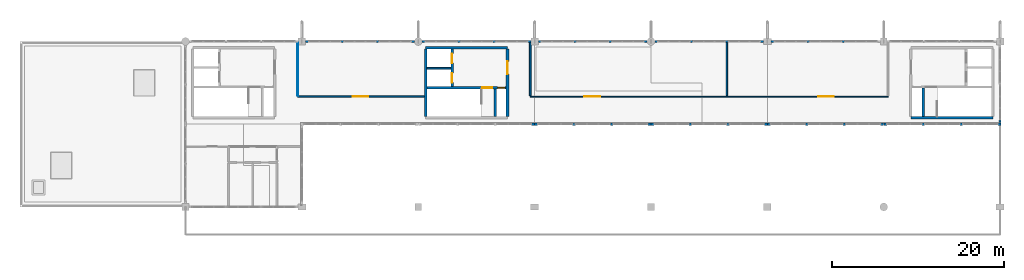
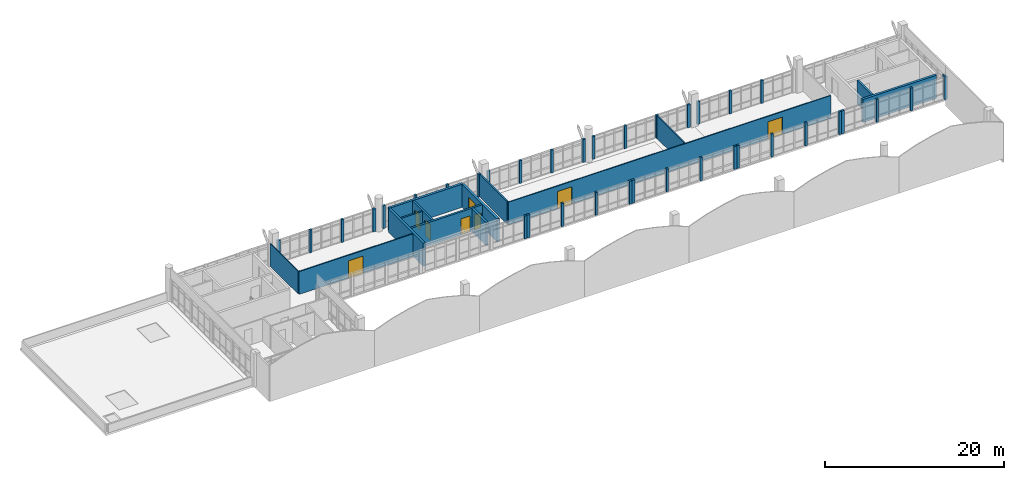
# One storey, part 35 of 37: 51 walls, 8 doors, 8 openings.
"""IFC4 building model written with IfcOpenShell, lengths in metres."""

from ifc_helpers import new_model, si_unit, direction, frame, frame_2d, origin, place, context, subcontext, project, spatial, rectangle, extrude, material, layer, layer_set, type_object, element, fill, save


model = new_model("IFC4")

# Units and contexts
model_context = context("Model", 3, precision=1e-05, world=origin(), true_north=direction((0.0, 1.0)))
body_context = subcontext(model_context, "Body", "Model", "MODEL_VIEW")
ifc_project = project(units=[si_unit("LENGTHUNIT", "METRE"), si_unit("AREAUNIT", "SQUARE_METRE"), si_unit("VOLUMEUNIT", "CUBIC_METRE"), si_unit("PLANEANGLEUNIT", "RADIAN"), si_unit("MASSUNIT", "GRAM", prefix="KILO")], contexts=[model_context])

# Site, building, storey
site_placement = place(None, origin())
site = spatial("IfcSite", under=ifc_project, at=site_placement, CompositionType="ELEMENT")
building_placement = place(site_placement, origin())
building = spatial("IfcBuilding", under=site, at=building_placement, Name="Fikremerkos Civic Library", CompositionType="ELEMENT")
storey_placement = place(building_placement, frame((0.0, 0.0, 23.39990234375)))
storey = spatial("IfcBuildingStorey", under=building, at=storey_placement, Name="L05", CompositionType="ELEMENT", Elevation=23.39990234375)

# Walls
ifc_material_1 = material(Name="Concrete C40/50", Category="concrete")
ifc_layer_1 = layer(ifc_material_1, 0.300048828125, Name="Concrete C40/50")
ifc_layer_set_1 = layer_set([ifc_layer_1], Name="Concrete C40/50")
wall_type_1 = type_object("IfcWallType", Name="Core shear wall CSW-01 300", PredefinedType="SHEAR", material=ifc_layer_set_1)
for number, where, z_axis, x_axis, name in (
    (1, (112.85009765625, 22.35009765625, 0.0), (0.0, 0.0, 1.0), (-1.0, 0.0, 0.0), "Core K2 south shear wall L05"),
    (2, (47.050048828125, 30.449951171875, 0.0), (0.0, 0.0, 1.0), (1.0, 0.0, 0.0), "Core K3 north shear wall L05"),
):
    element("IfcWall", number, at=place(storey_placement, frame(where, z_axis=z_axis, x_axis=x_axis)), inside=storey, type_object=wall_type_1, Name=name, PredefinedType="SHEAR", context=body_context, shape_type="SweptSolid", body=[
        extrude(rectangle(XDim=9.5, YDim=0.300048828125, at=frame_2d((4.75, 0.0))), origin(), (0.0, 0.0, 1.0), 3.150146484375),
    ])
wall_1_placement = place(storey_placement, frame((47.050048828125, 22.501953125, 0.0), z_axis=(0.0, 0.0, 1.0), x_axis=(0.0, 1.0, 0.0)))
element("IfcWall", 3, at=wall_1_placement, inside=storey, type_object=wall_type_1, Name="Core K3 west shear wall L05", PredefinedType="SHEAR", context=body_context, shape_type="SweptSolid", body=[
    extrude(rectangle(XDim=7.796142578125, YDim=0.300048828125, at=frame_2d((3.89794921875, 0.0))), origin(), (0.0, 0.0, 1.0), 3.150146484375),
])

# Wall, opening, door
wall_2_placement = place(storey_placement, frame((56.550048828125, 30.298095703125, 0.0), z_axis=(0.0, 0.0, 1.0), x_axis=(0.0, -1.0, 0.0)))
wall_2 = element("IfcWall", 4, at=wall_2_placement, inside=storey, type_object=wall_type_1, Name="Core K3 east shear wall L05", PredefinedType="SHEAR", context=body_context, shape_type="SweptSolid", body=[
    extrude(rectangle(XDim=7.796142578125, YDim=0.300048828125, at=frame_2d((3.89794921875, 0.0))), origin(), (0.0, 0.0, 1.0), 3.150146484375),
])
opening_1_placement = place(wall_2_placement, frame((1.39794921875, 0.0, 0.0)))
opening_1 = element("IfcOpeningElement", 5, at=opening_1_placement, cuts=wall_2, Name="Opening D098", PredefinedType="OPENING", context=body_context, shape_type="SweptSolid", body=[
    extrude(rectangle(XDim=1.5, YDim=2.25, at=frame_2d((0.75, 1.125))), frame((0.0, 0.159912109375, 0.0), z_axis=(0.0, -1.0, 0.0), x_axis=(1.0, 0.0, 0.0)), (0.0, 0.0, 1.0), 0.320068359375),
])
ifc_material_2 = material(Name="Hardwood timber and acoustic glass", Category="wood")
door_type_1 = type_object("IfcDoorType", Name="Pedestrian door DT-05 1500x2250", OperationType="NOTDEFINED", PredefinedType="DOOR", material=ifc_material_2)
door_1_placement = place(opening_1_placement, origin())
door_1 = element("IfcDoor", 6, at=door_1_placement, inside=storey, type_object=door_type_1, Name="Core K3 lobby fire door D098 L05", OperationType="SINGLE_SWING_LEFT", OverallHeight=2.25, OverallWidth=1.5, PredefinedType="DOOR", context=body_context, shape_type="SweptSolid", body=[
    extrude(rectangle(XDim=1.5, YDim=2.25, at=frame_2d((0.75, 1.125))), frame((0.0, 0.032470703125, 0.0), z_axis=(0.0, -1.0, 0.0), x_axis=(1.0, 0.0, 0.0)), (0.0, 0.0, 1.0), 0.06494140625),
])
fill(opening_1, door_1)

# Wall
ifc_layer_2 = layer(ifc_material_1, 0.260009765625, Name="Concrete C40/50")
ifc_layer_set_2 = layer_set([ifc_layer_2], Name="Concrete C40/50")
wall_type_2 = type_object("IfcWallType", Name="Core shear wall CSW-02 260", PredefinedType="SHEAR", material=ifc_layer_set_2)
wall_3_placement = place(storey_placement, frame((104.77001953125, 22.501953125, 0.0), z_axis=(0.0, 0.0, 1.0), x_axis=(0.0, 1.0, 0.0)))
element("IfcWall", 7, at=wall_3_placement, inside=storey, type_object=wall_type_2, Name="Core K2 stair-riser shear wall L05", PredefinedType="SHEAR", context=body_context, shape_type="SweptSolid", body=[
    extrude(rectangle(XDim=3.296142578125, YDim=0.260009765625, at=frame_2d((1.64794921875, 0.0))), origin(), (0.0, 0.0, 1.0), 3.150146484375),
])

# Wall, openings, doors
wall_4_placement = place(storey_placement, frame((47.201904296875, 25.830078125, 0.0), z_axis=(0.0, 0.0, 1.0), x_axis=(1.0, 0.0, 0.0)))
wall_4 = element("IfcWall", 8, at=wall_4_placement, inside=storey, type_object=wall_type_2, Name="Core K3 stair compartment wall L05", PredefinedType="SHEAR", context=body_context, shape_type="SweptSolid", body=[
    extrude(rectangle(XDim=9.196044921875, YDim=0.260009765625, at=frame_2d((4.59814453125, 0.0))), origin(), (0.0, 0.0, 1.0), 3.150146484375),
])
opening_2_placement = place(wall_4_placement, frame((6.39794921875, 0.0, 0.0)))
opening_2 = element("IfcOpeningElement", 9, at=opening_2_placement, cuts=wall_4, Name="Opening D099", PredefinedType="OPENING", context=body_context, shape_type="SweptSolid", body=[
    extrude(rectangle(XDim=1.199951171875, YDim=2.199951171875, at=frame_2d((0.60009765625, 1.10009765625))), frame((0.0, 0.139892578125, 0.0), z_axis=(0.0, -1.0, 0.0), x_axis=(1.0, 0.0, 0.0)), (0.0, 0.0, 1.0), 0.280029296875),
])
opening_3_placement = place(wall_4_placement, frame((8.202880859375, 0.0, 0.0)))
opening_3 = element("IfcOpeningElement", 10, at=opening_3_placement, cuts=wall_4, Name="Opening D100", PredefinedType="OPENING", context=body_context, shape_type="SweptSolid", body=[
    extrude(rectangle(XDim=0.85009765625, YDim=2.050048828125, at=frame_2d((0.425048828125, 1.02490234375))), frame((0.0, 0.139892578125, 0.0), z_axis=(0.0, -1.0, 0.0), x_axis=(1.0, 0.0, 0.0)), (0.0, 0.0, 1.0), 0.280029296875),
])
door_type_2 = type_object("IfcDoorType", Name="Pedestrian door DT-06 1200x2200", OperationType="NOTDEFINED", PredefinedType="DOOR", material=ifc_material_2)
door_2_placement = place(opening_2_placement, origin())
door_2 = element("IfcDoor", 11, at=door_2_placement, inside=storey, type_object=door_type_2, Name="Core K3 stair fire door D099 L05", OperationType="SINGLE_SWING_LEFT", OverallHeight=2.199951171875, OverallWidth=1.199951171875, PredefinedType="DOOR", context=body_context, shape_type="SweptSolid", body=[
    extrude(rectangle(XDim=1.199951171875, YDim=2.199951171875, at=frame_2d((0.60009765625, 1.10009765625))), frame((0.0, 0.032470703125, 0.0), z_axis=(0.0, -1.0, 0.0), x_axis=(1.0, 0.0, 0.0)), (0.0, 0.0, 1.0), 0.06494140625),
])
fill(opening_2, door_2)
door_type_3 = type_object("IfcDoorType", Name="Pedestrian door DT-08 850x2050", OperationType="NOTDEFINED", PredefinedType="DOOR", material=ifc_material_2)
door_3_placement = place(opening_3_placement, origin())
door_3 = element("IfcDoor", 12, at=door_3_placement, inside=storey, type_object=door_type_3, Name="Core K3 riser access fire door D100 L05", OperationType="SINGLE_SWING_LEFT", OverallHeight=2.050048828125, OverallWidth=0.85009765625, PredefinedType="DOOR", context=body_context, shape_type="SweptSolid", body=[
    extrude(rectangle(XDim=0.85009765625, YDim=2.050048828125, at=frame_2d((0.425048828125, 1.02490234375))), frame((0.0, 0.032470703125, 0.0), z_axis=(0.0, -1.0, 0.0), x_axis=(1.0, 0.0, 0.0)), (0.0, 0.0, 1.0), 0.06494140625),
])
fill(opening_3, door_3)

# Wall
wall_5_placement = place(storey_placement, frame((55.1298828125, 22.501953125, 0.0), z_axis=(0.0, 0.0, 1.0), x_axis=(0.0, 1.0, 0.0)))
element("IfcWall", 13, at=wall_5_placement, inside=storey, type_object=wall_type_2, Name="Core K3 stair-riser shear wall L05", PredefinedType="SHEAR", context=body_context, shape_type="SweptSolid", body=[
    extrude(rectangle(XDim=3.196044921875, YDim=0.260009765625, at=frame_2d((1.59814453125, 0.0))), origin(), (0.0, 0.0, 1.0), 3.150146484375),
])

# Wall, openings, doors
wall_6_placement = place(storey_placement, frame((50.1298828125, 25.9619140625, 0.0), z_axis=(0.0, 0.0, 1.0), x_axis=(0.0, 1.0, 0.0)))
wall_6 = element("IfcWall", 14, at=wall_6_placement, inside=storey, type_object=wall_type_2, Name="Core K3 lift shaft front wall L05", PredefinedType="SHEAR", context=body_context, shape_type="SweptSolid", body=[
    extrude(rectangle(XDim=4.336181640625, YDim=0.260009765625, at=frame_2d((2.16796875, 0.0))), origin(), (0.0, 0.0, 1.0), 3.150146484375),
])
opening_4_placement = place(wall_6_placement, frame((0.468017578125, 0.0, 0.0)))
opening_4 = element("IfcOpeningElement", 15, at=opening_4_placement, cuts=wall_6, Name="Opening LD47", PredefinedType="OPENING", context=body_context, shape_type="SweptSolid", body=[
    extrude(rectangle(XDim=1.10009765625, YDim=2.14990234375, at=frame_2d((0.550048828125, 1.074951171875))), frame((0.0, 0.139892578125, 0.0), z_axis=(0.0, -1.0, 0.0), x_axis=(1.0, 0.0, 0.0)), (0.0, 0.0, 1.0), 0.280029296875),
])
opening_5_placement = place(wall_6_placement, frame((2.738037109375, 0.0, 0.0)))
opening_5 = element("IfcOpeningElement", 16, at=opening_5_placement, cuts=wall_6, Name="Opening LD48", PredefinedType="OPENING", context=body_context, shape_type="SweptSolid", body=[
    extrude(rectangle(XDim=1.10009765625, YDim=2.14990234375, at=frame_2d((0.550048828125, 1.074951171875))), frame((0.0, 0.139892578125, 0.0), z_axis=(0.0, -1.0, 0.0), x_axis=(1.0, 0.0, 0.0)), (0.0, 0.0, 1.0), 0.280029296875),
])
ifc_material_3 = material(Name="Brushed stainless steel", Category="steel")
door_type_4 = type_object("IfcDoorType", Name="Lift landing door LDT-01 1100x2150", OperationType="NOTDEFINED", PredefinedType="DOOR", material=ifc_material_3)
door_4_placement = place(opening_4_placement, origin())
door_4 = element("IfcDoor", 17, at=door_4_placement, inside=storey, type_object=door_type_4, Name="Lift LF05 sliding landing door LD47 L05", OperationType="SLIDING_TO_LEFT", OverallHeight=2.14990234375, OverallWidth=1.10009765625, PredefinedType="DOOR", context=body_context, shape_type="SweptSolid", body=[
    extrude(rectangle(XDim=1.10009765625, YDim=2.14990234375, at=frame_2d((0.550048828125, 1.074951171875))), frame((0.0, 0.032470703125, 0.0), z_axis=(0.0, -1.0, 0.0), x_axis=(1.0, 0.0, 0.0)), (0.0, 0.0, 1.0), 0.06494140625),
])
fill(opening_4, door_4)
door_5_placement = place(opening_5_placement, origin())
door_5 = element("IfcDoor", 18, at=door_5_placement, inside=storey, type_object=door_type_4, Name="Lift LF06 sliding landing door LD48 L05", OperationType="SLIDING_TO_LEFT", OverallHeight=2.14990234375, OverallWidth=1.10009765625, PredefinedType="DOOR", context=body_context, shape_type="SweptSolid", body=[
    extrude(rectangle(XDim=1.10009765625, YDim=2.14990234375, at=frame_2d((0.550048828125, 1.074951171875))), frame((0.0, 0.032470703125, 0.0), z_axis=(0.0, -1.0, 0.0), x_axis=(1.0, 0.0, 0.0)), (0.0, 0.0, 1.0), 0.06494140625),
])
fill(opening_5, door_5)

# Walls
ifc_material_4 = material(Name="Precast concrete C40/50", Category="concrete")
ifc_layer_3 = layer(ifc_material_4, 0.25, Name="Precast concrete C40/50")
ifc_layer_set_3 = layer_set([ifc_layer_3], Name="Precast concrete C40/50")
wall_type_3 = type_object("IfcWallType", Name="Exterior solid wall ESW-05 250", PredefinedType="SOLIDWALL", material=ifc_layer_set_3)
for number, where, z_axis, x_axis, name in (
    (19, (33.123046875, 31.199951171875, 0.0), (0.0, 0.0, 1.0), (1.0, 0.0, 0.0), "Exterior facade pier ESW-05 #681"),
    (20, (45.402099609375, 31.199951171875, 0.0), (0.0, 0.0, 1.0), (1.0, 0.0, 0.0), "Exterior facade pier ESW-05 #682"),
):
    element("IfcWall", number, at=place(storey_placement, frame(where, z_axis=z_axis, x_axis=x_axis)), inside=storey, type_object=wall_type_3, Name=name, PredefinedType="SOLIDWALL", context=body_context, shape_type="SweptSolid", body=[
        extrude(rectangle(XDim=0.349853515625, YDim=0.25, at=frame_2d((0.1748046875, 0.0))), origin(), (0.0, 0.0, 1.0), 3.1201171875),
    ])
for number, where, z_axis, x_axis, name in (
    (21, (37.249267578125, 31.199951171875, 0.0), (0.0, 0.0, 1.0), (1.0, 0.0, 0.0), "Exterior facade mullion pier ESW-05 #683"),
    (22, (41.32568359375, 31.199951171875, 0.0), (0.0, 0.0, 1.0), (1.0, 0.0, 0.0), "Exterior facade mullion pier ESW-05 #684"),
):
    element("IfcWall", number, at=place(storey_placement, frame(where, z_axis=z_axis, x_axis=x_axis)), inside=storey, type_object=wall_type_3, Name=name, PredefinedType="SOLIDWALL", context=body_context, shape_type="SweptSolid", body=[
        extrude(rectangle(XDim=0.300048828125, YDim=0.25, at=frame_2d((0.14990234375, 0.0))), origin(), (0.0, 0.0, 1.0), 3.1201171875),
    ])
for number, where, z_axis, x_axis, name in (
    (23, (46.64794921875, 31.199951171875, 0.0), (0.0, 0.0, 1.0), (1.0, 0.0, 0.0), "Exterior facade pier ESW-05 #685"),
    (24, (58.927001953125, 31.199951171875, 0.0), (0.0, 0.0, 1.0), (1.0, 0.0, 0.0), "Exterior facade pier ESW-05 #686"),
):
    element("IfcWall", number, at=place(storey_placement, frame(where, z_axis=z_axis, x_axis=x_axis)), inside=storey, type_object=wall_type_3, Name=name, PredefinedType="SOLIDWALL", context=body_context, shape_type="SweptSolid", body=[
        extrude(rectangle(XDim=0.35009765625, YDim=0.25, at=frame_2d((0.175048828125, 0.0))), origin(), (0.0, 0.0, 1.0), 3.1201171875),
    ])
wall_7_placement = place(storey_placement, frame((50.7744140625, 31.199951171875, 0.0), z_axis=(0.0, 0.0, 1.0), x_axis=(1.0, 0.0, 0.0)))
element("IfcWall", 25, at=wall_7_placement, inside=storey, type_object=wall_type_3, Name="Exterior facade mullion pier ESW-05 #687", PredefinedType="SOLIDWALL", context=body_context, shape_type="SweptSolid", body=[
    extrude(rectangle(XDim=0.2998046875, YDim=0.25, at=frame_2d((0.14990234375, 0.0))), origin(), (0.0, 0.0, 1.0), 3.1201171875),
])
wall_8_placement = place(storey_placement, frame((54.8505859375, 31.199951171875, 0.0), z_axis=(0.0, 0.0, 1.0), x_axis=(1.0, 0.0, 0.0)))
element("IfcWall", 26, at=wall_8_placement, inside=storey, type_object=wall_type_3, Name="Exterior facade mullion pier ESW-05 #688", PredefinedType="SOLIDWALL", context=body_context, shape_type="SweptSolid", body=[
    extrude(rectangle(XDim=0.300048828125, YDim=0.25, at=frame_2d((0.14990234375, 0.0))), origin(), (0.0, 0.0, 1.0), 3.1201171875),
])
for number, where, z_axis, x_axis, name in (
    (27, (60.123046875, 31.199951171875, 0.0), (0.0, 0.0, 1.0), (1.0, 0.0, 0.0), "Exterior facade pier ESW-05 #689"),
    (28, (72.402099609375, 31.199951171875, 0.0), (0.0, 0.0, 1.0), (1.0, 0.0, 0.0), "Exterior facade pier ESW-05 #690"),
):
    element("IfcWall", number, at=place(storey_placement, frame(where, z_axis=z_axis, x_axis=x_axis)), inside=storey, type_object=wall_type_3, Name=name, PredefinedType="SOLIDWALL", context=body_context, shape_type="SweptSolid", body=[
        extrude(rectangle(XDim=0.349853515625, YDim=0.25, at=frame_2d((0.1748046875, 0.0))), origin(), (0.0, 0.0, 1.0), 3.1201171875),
    ])
for number, where, z_axis, x_axis, name in (
    (29, (64.249267578125, 31.199951171875, 0.0), (0.0, 0.0, 1.0), (1.0, 0.0, 0.0), "Exterior facade mullion pier ESW-05 #691"),
    (30, (68.32568359375, 31.199951171875, 0.0), (0.0, 0.0, 1.0), (1.0, 0.0, 0.0), "Exterior facade mullion pier ESW-05 #692"),
):
    element("IfcWall", number, at=place(storey_placement, frame(where, z_axis=z_axis, x_axis=x_axis)), inside=storey, type_object=wall_type_3, Name=name, PredefinedType="SOLIDWALL", context=body_context, shape_type="SweptSolid", body=[
        extrude(rectangle(XDim=0.300048828125, YDim=0.25, at=frame_2d((0.14990234375, 0.0))), origin(), (0.0, 0.0, 1.0), 3.1201171875),
    ])
wall_9_placement = place(storey_placement, frame((73.64794921875, 31.199951171875, 0.0), z_axis=(0.0, 0.0, 1.0), x_axis=(1.0, 0.0, 0.0)))
element("IfcWall", 31, at=wall_9_placement, inside=storey, type_object=wall_type_3, Name="Exterior facade pier ESW-05 #693", PredefinedType="SOLIDWALL", context=body_context, shape_type="SweptSolid", body=[
    extrude(rectangle(XDim=0.35009765625, YDim=0.25, at=frame_2d((0.175048828125, 0.0))), origin(), (0.0, 0.0, 1.0), 3.1201171875),
])
wall_10_placement = place(storey_placement, frame((85.902099609375, 31.199951171875, 0.0), z_axis=(0.0, 0.0, 1.0), x_axis=(1.0, 0.0, 0.0)))
element("IfcWall", 32, at=wall_10_placement, inside=storey, type_object=wall_type_3, Name="Exterior facade pier ESW-05 #694", PredefinedType="SOLIDWALL", context=body_context, shape_type="SweptSolid", body=[
    extrude(rectangle(XDim=0.349853515625, YDim=0.25, at=frame_2d((0.1748046875, 0.0))), origin(), (0.0, 0.0, 1.0), 3.1201171875),
])
wall_11_placement = place(storey_placement, frame((77.76611328125, 31.199951171875, 0.0), z_axis=(0.0, 0.0, 1.0), x_axis=(1.0, 0.0, 0.0)))
element("IfcWall", 33, at=wall_11_placement, inside=storey, type_object=wall_type_3, Name="Exterior facade mullion pier ESW-05 #695", PredefinedType="SOLIDWALL", context=body_context, shape_type="SweptSolid", body=[
    extrude(rectangle(XDim=0.2998046875, YDim=0.25, at=frame_2d((0.14990234375, 0.0))), origin(), (0.0, 0.0, 1.0), 3.1201171875),
])
wall_12_placement = place(storey_placement, frame((81.833984375, 31.199951171875, 0.0), z_axis=(0.0, 0.0, 1.0), x_axis=(1.0, 0.0, 0.0)))
element("IfcWall", 34, at=wall_12_placement, inside=storey, type_object=wall_type_3, Name="Exterior facade mullion pier ESW-05 #696", PredefinedType="SOLIDWALL", context=body_context, shape_type="SweptSolid", body=[
    extrude(rectangle(XDim=0.300048828125, YDim=0.25, at=frame_2d((0.14990234375, 0.0))), origin(), (0.0, 0.0, 1.0), 3.1201171875),
])
wall_13_placement = place(storey_placement, frame((87.14794921875, 31.199951171875, 0.0), z_axis=(0.0, 0.0, 1.0), x_axis=(1.0, 0.0, 0.0)))
element("IfcWall", 35, at=wall_13_placement, inside=storey, type_object=wall_type_3, Name="Exterior facade pier ESW-05 #697", PredefinedType="SOLIDWALL", context=body_context, shape_type="SweptSolid", body=[
    extrude(rectangle(XDim=0.35009765625, YDim=0.25, at=frame_2d((0.175048828125, 0.0))), origin(), (0.0, 0.0, 1.0), 3.1201171875),
])
wall_14_placement = place(storey_placement, frame((91.28271484375, 31.199951171875, 0.0), z_axis=(0.0, 0.0, 1.0), x_axis=(1.0, 0.0, 0.0)))
element("IfcWall", 36, at=wall_14_placement, inside=storey, type_object=wall_type_3, Name="Exterior facade mullion pier ESW-05 #699", PredefinedType="SOLIDWALL", context=body_context, shape_type="SweptSolid", body=[
    extrude(rectangle(XDim=0.300048828125, YDim=0.25, at=frame_2d((0.14990234375, 0.0))), origin(), (0.0, 0.0, 1.0), 3.1201171875),
])
wall_15_placement = place(storey_placement, frame((95.367431640625, 31.199951171875, 0.0), z_axis=(0.0, 0.0, 1.0), x_axis=(1.0, 0.0, 0.0)))
element("IfcWall", 37, at=wall_15_placement, inside=storey, type_object=wall_type_3, Name="Exterior facade mullion pier ESW-05 #700", PredefinedType="SOLIDWALL", context=body_context, shape_type="SweptSolid", body=[
    extrude(rectangle(XDim=0.2998046875, YDim=0.25, at=frame_2d((0.14990234375, 0.0))), origin(), (0.0, 0.0, 1.0), 3.1201171875),
])
wall_16_placement = place(storey_placement, frame((113.699951171875, 22.1298828125, 0.0), z_axis=(0.0, 0.0, 1.0), x_axis=(0.0, -1.0, 0.0)))
element("IfcWall", 38, at=wall_16_placement, inside=storey, type_object=wall_type_3, Name="Exterior facade pier ESW-05 #706", PredefinedType="SOLIDWALL", context=body_context, shape_type="SweptSolid", body=[
    extrude(rectangle(XDim=0.349853515625, YDim=0.25, at=frame_2d((0.1748046875, 0.0))), origin(), (0.0, 0.0, 1.0), 3.1201171875),
])
for number, where, z_axis, x_axis, name in (
    (39, (113.81005859375, 21.60009765625, 0.0), (0.0, 0.0, 1.0), (-1.0, 0.0, 0.0), "Exterior facade pier ESW-05 #708"),
    (40, (100.552001953125, 21.60009765625, 0.0), (0.0, 0.0, 1.0), (-1.0, 0.0, 0.0), "Exterior facade pier ESW-05 #709"),
):
    element("IfcWall", number, at=place(storey_placement, frame(where, z_axis=z_axis, x_axis=x_axis)), inside=storey, type_object=wall_type_3, Name=name, PredefinedType="SOLIDWALL", context=body_context, shape_type="SweptSolid", body=[
        extrude(rectangle(XDim=0.35009765625, YDim=0.25, at=frame_2d((0.175048828125, 0.0))), origin(), (0.0, 0.0, 1.0), 3.1201171875),
    ])
wall_17_placement = place(storey_placement, frame((109.357421875, 21.60009765625, 0.0), z_axis=(0.0, 0.0, 1.0), x_axis=(-1.0, 0.0, 0.0)))
element("IfcWall", 41, at=wall_17_placement, inside=storey, type_object=wall_type_3, Name="Exterior facade mullion pier ESW-05 #710", PredefinedType="SOLIDWALL", context=body_context, shape_type="SweptSolid", body=[
    extrude(rectangle(XDim=0.300048828125, YDim=0.25, at=frame_2d((0.14990234375, 0.0))), origin(), (0.0, 0.0, 1.0), 3.1201171875),
])
wall_18_placement = place(storey_placement, frame((104.95458984375, 21.60009765625, 0.0), z_axis=(0.0, 0.0, 1.0), x_axis=(-1.0, 0.0, 0.0)))
element("IfcWall", 42, at=wall_18_placement, inside=storey, type_object=wall_type_3, Name="Exterior facade mullion pier ESW-05 #711", PredefinedType="SOLIDWALL", context=body_context, shape_type="SweptSolid", body=[
    extrude(rectangle(XDim=0.2998046875, YDim=0.25, at=frame_2d((0.14990234375, 0.0))), origin(), (0.0, 0.0, 1.0), 3.1201171875),
])
for number, where, z_axis, x_axis, name in (
    (43, (100.197998046875, 21.60009765625, 0.0), (0.0, 0.0, 1.0), (-1.0, 0.0, 0.0), "Exterior facade pier ESW-05 #712"),
    (44, (87.052001953125, 21.60009765625, 0.0), (0.0, 0.0, 1.0), (-1.0, 0.0, 0.0), "Exterior facade pier ESW-05 #713"),
):
    element("IfcWall", number, at=place(storey_placement, frame(where, z_axis=z_axis, x_axis=x_axis)), inside=storey, type_object=wall_type_3, Name=name, PredefinedType="SOLIDWALL", context=body_context, shape_type="SweptSolid", body=[
        extrude(rectangle(XDim=0.35009765625, YDim=0.25, at=frame_2d((0.175048828125, 0.0))), origin(), (0.0, 0.0, 1.0), 3.1201171875),
    ])
wall_19_placement = place(storey_placement, frame((95.78271484375, 21.60009765625, 0.0), z_axis=(0.0, 0.0, 1.0), x_axis=(-1.0, 0.0, 0.0)))
element("IfcWall", 45, at=wall_19_placement, inside=storey, type_object=wall_type_3, Name="Exterior facade mullion pier ESW-05 #714", PredefinedType="SOLIDWALL", context=body_context, shape_type="SweptSolid", body=[
    extrude(rectangle(XDim=0.300048828125, YDim=0.25, at=frame_2d((0.14990234375, 0.0))), origin(), (0.0, 0.0, 1.0), 3.1201171875),
])
wall_20_placement = place(storey_placement, frame((91.417236328125, 21.60009765625, 0.0), z_axis=(0.0, 0.0, 1.0), x_axis=(-1.0, 0.0, 0.0)))
element("IfcWall", 46, at=wall_20_placement, inside=storey, type_object=wall_type_3, Name="Exterior facade mullion pier ESW-05 #715", PredefinedType="SOLIDWALL", context=body_context, shape_type="SweptSolid", body=[
    extrude(rectangle(XDim=0.2998046875, YDim=0.25, at=frame_2d((0.14990234375, 0.0))), origin(), (0.0, 0.0, 1.0), 3.1201171875),
])
for number, where, z_axis, x_axis, name in (
    (47, (86.697998046875, 21.60009765625, 0.0), (0.0, 0.0, 1.0), (-1.0, 0.0, 0.0), "Exterior facade pier ESW-05 #716"),
    (48, (73.552001953125, 21.60009765625, 0.0), (0.0, 0.0, 1.0), (-1.0, 0.0, 0.0), "Exterior facade pier ESW-05 #717"),
):
    element("IfcWall", number, at=place(storey_placement, frame(where, z_axis=z_axis, x_axis=x_axis)), inside=storey, type_object=wall_type_3, Name=name, PredefinedType="SOLIDWALL", context=body_context, shape_type="SweptSolid", body=[
        extrude(rectangle(XDim=0.35009765625, YDim=0.25, at=frame_2d((0.175048828125, 0.0))), origin(), (0.0, 0.0, 1.0), 3.1201171875),
    ])
wall_21_placement = place(storey_placement, frame((82.28271484375, 21.60009765625, 0.0), z_axis=(0.0, 0.0, 1.0), x_axis=(-1.0, 0.0, 0.0)))
element("IfcWall", 49, at=wall_21_placement, inside=storey, type_object=wall_type_3, Name="Exterior facade mullion pier ESW-05 #718", PredefinedType="SOLIDWALL", context=body_context, shape_type="SweptSolid", body=[
    extrude(rectangle(XDim=0.300048828125, YDim=0.25, at=frame_2d((0.14990234375, 0.0))), origin(), (0.0, 0.0, 1.0), 3.1201171875),
])
wall_22_placement = place(storey_placement, frame((77.917236328125, 21.60009765625, 0.0), z_axis=(0.0, 0.0, 1.0), x_axis=(-1.0, 0.0, 0.0)))
element("IfcWall", 50, at=wall_22_placement, inside=storey, type_object=wall_type_3, Name="Exterior facade mullion pier ESW-05 #719", PredefinedType="SOLIDWALL", context=body_context, shape_type="SweptSolid", body=[
    extrude(rectangle(XDim=0.2998046875, YDim=0.25, at=frame_2d((0.14990234375, 0.0))), origin(), (0.0, 0.0, 1.0), 3.1201171875),
])
for number, where, z_axis, x_axis, name in (
    (51, (73.197998046875, 21.60009765625, 0.0), (0.0, 0.0, 1.0), (-1.0, 0.0, 0.0), "Exterior facade pier ESW-05 #720"),
    (52, (60.052001953125, 21.60009765625, 0.0), (0.0, 0.0, 1.0), (-1.0, 0.0, 0.0), "Exterior facade pier ESW-05 #721"),
):
    element("IfcWall", number, at=place(storey_placement, frame(where, z_axis=z_axis, x_axis=x_axis)), inside=storey, type_object=wall_type_3, Name=name, PredefinedType="SOLIDWALL", context=body_context, shape_type="SweptSolid", body=[
        extrude(rectangle(XDim=0.35009765625, YDim=0.25, at=frame_2d((0.175048828125, 0.0))), origin(), (0.0, 0.0, 1.0), 3.1201171875),
    ])
wall_23_placement = place(storey_placement, frame((68.78271484375, 21.60009765625, 0.0), z_axis=(0.0, 0.0, 1.0), x_axis=(-1.0, 0.0, 0.0)))
element("IfcWall", 53, at=wall_23_placement, inside=storey, type_object=wall_type_3, Name="Exterior facade mullion pier ESW-05 #722", PredefinedType="SOLIDWALL", context=body_context, shape_type="SweptSolid", body=[
    extrude(rectangle(XDim=0.300048828125, YDim=0.25, at=frame_2d((0.14990234375, 0.0))), origin(), (0.0, 0.0, 1.0), 3.1201171875),
])
wall_24_placement = place(storey_placement, frame((64.417236328125, 21.60009765625, 0.0), z_axis=(0.0, 0.0, 1.0), x_axis=(-1.0, 0.0, 0.0)))
element("IfcWall", 54, at=wall_24_placement, inside=storey, type_object=wall_type_3, Name="Exterior facade mullion pier ESW-05 #723", PredefinedType="SOLIDWALL", context=body_context, shape_type="SweptSolid", body=[
    extrude(rectangle(XDim=0.2998046875, YDim=0.25, at=frame_2d((0.14990234375, 0.0))), origin(), (0.0, 0.0, 1.0), 3.1201171875),
])
wall_25_placement = place(storey_placement, frame((59.697998046875, 21.60009765625, 0.0), z_axis=(0.0, 0.0, 1.0), x_axis=(-1.0, 0.0, 0.0)))
element("IfcWall", 55, at=wall_25_placement, inside=storey, type_object=wall_type_3, Name="Exterior facade pier ESW-05 #724", PredefinedType="SOLIDWALL", context=body_context, shape_type="SweptSolid", body=[
    extrude(rectangle(XDim=0.35009765625, YDim=0.25, at=frame_2d((0.175048828125, 0.0))), origin(), (0.0, 0.0, 1.0), 3.1201171875),
])
ifc_material_5 = material(Name="Acoustic concrete blockwork", Category="masonry")
ifc_layer_4 = layer(ifc_material_5, 0.18994140625, Name="Acoustic concrete blockwork")
ifc_layer_set_4 = layer_set([ifc_layer_4], Name="Acoustic concrete blockwork")
wall_type_4 = type_object("IfcWallType", Name="Interior partition wall IPW-01 190", PredefinedType="PARTITIONING", material=ifc_layer_set_4)
wall_26_placement = place(storey_placement, frame((59.199951171875, 24.905029296875, 0.0), z_axis=(0.0, 0.0, 1.0), x_axis=(0.0, 1.0, 0.0)))
element("IfcWall", 56, at=wall_26_placement, inside=storey, type_object=wall_type_4, Name="Interior wall IPW-01 L05 #260", PredefinedType="PARTITIONING", context=body_context, shape_type="SweptSolid", body=[
    extrude(rectangle(XDim=6.166015625, YDim=0.18994140625, at=frame_2d((3.0830078125, 0.0))), origin(), (0.0, 0.0, 1.0), 3.10009765625),
])

# Wall, opening, door
ifc_material_6 = material(Name="Acoustic gypsum stud partition")
ifc_layer_5 = layer(ifc_material_6, 0.14990234375, Name="Acoustic gypsum stud partition")
ifc_layer_set_5 = layer_set([ifc_layer_5], Name="Acoustic gypsum stud partition")
wall_type_5 = type_object("IfcWallType", Name="Interior partition wall IPW-02 150", PredefinedType="PARTITIONING", material=ifc_layer_set_5)
wall_27_placement = place(storey_placement, frame((32.199951171875, 24.800048828125, 0.0), z_axis=(0.0, 0.0, 1.0), x_axis=(1.0, 0.0, 0.0)))
wall_27 = element("IfcWall", 57, at=wall_27_placement, inside=storey, type_object=wall_type_5, Name="Interior wall IPW-02 L05 #257", PredefinedType="PARTITIONING", context=body_context, shape_type="SweptSolid", body=[
    extrude(rectangle(XDim=14.697021484375, YDim=0.14990234375, at=frame_2d((7.3486328125, 0.0))), origin(), (0.0, 0.0, 1.0), 3.10009765625),
])
opening_6_placement = place(wall_27_placement, frame((6.375, 0.0, 0.0)))
opening_6 = element("IfcOpeningElement", 58, at=opening_6_placement, cuts=wall_27, Name="Opening D256", PredefinedType="OPENING", context=body_context, shape_type="SweptSolid", body=[
    extrude(rectangle(XDim=1.85009765625, YDim=2.35009765625, at=frame_2d((0.925048828125, 1.175048828125))), frame((0.0, 0.0849609375, 0.0), z_axis=(0.0, -1.0, 0.0), x_axis=(1.0, 0.0, 0.0)), (0.0, 0.0, 1.0), 0.169921875),
])
door_type_5 = type_object("IfcDoorType", Name="Pedestrian door DT-09 1850x2350", OperationType="NOTDEFINED", PredefinedType="DOOR", material=ifc_material_2)
door_6_placement = place(opening_6_placement, origin())
door_6 = element("IfcDoor", 59, at=door_6_placement, inside=storey, type_object=door_type_5, Name="Interior door D256 L05", OperationType="SINGLE_SWING_RIGHT", OverallHeight=2.35009765625, OverallWidth=1.85009765625, PredefinedType="DOOR", context=body_context, shape_type="SweptSolid", body=[
    extrude(rectangle(XDim=1.85009765625, YDim=2.35009765625, at=frame_2d((0.925048828125, 1.175048828125))), frame((0.0, 0.032470703125, 0.0), z_axis=(0.0, -1.0, 0.0), x_axis=(1.0, 0.0, 0.0)), (0.0, 0.0, 1.0), 0.06494140625),
])
fill(opening_6, door_6)

# Wall
wall_28_placement = place(storey_placement, frame((82.0, 24.905029296875, 0.0), z_axis=(0.0, 0.0, 1.0), x_axis=(0.0, 1.0, 0.0)))
element("IfcWall", 60, at=wall_28_placement, inside=storey, type_object=wall_type_5, Name="Interior wall IPW-02 L05 #261", PredefinedType="PARTITIONING", context=body_context, shape_type="SweptSolid", body=[
    extrude(rectangle(XDim=6.166015625, YDim=0.14990234375, at=frame_2d((3.0830078125, 0.0))), origin(), (0.0, 0.0, 1.0), 3.10009765625),
])

# Wall, openings, doors
ifc_material_7 = material(Name="Gypsum metal stud partition")
ifc_layer_6 = layer(ifc_material_7, 0.1298828125, Name="Gypsum metal stud partition")
ifc_layer_set_6 = layer_set([ifc_layer_6], Name="Gypsum metal stud partition")
wall_type_6 = type_object("IfcWallType", Name="Interior partition wall IPW-03 130", PredefinedType="PARTITIONING", material=ifc_layer_set_6)
wall_29_placement = place(storey_placement, frame((59.199951171875, 24.800048828125, 0.0), z_axis=(0.0, 0.0, 1.0), x_axis=(1.0, 0.0, 0.0)))
wall_29 = element("IfcWall", 61, at=wall_29_placement, inside=storey, type_object=wall_type_6, Name="Interior wall IPW-03 L05 #258", PredefinedType="PARTITIONING", context=body_context, shape_type="SweptSolid", body=[
    extrude(rectangle(XDim=41.5, YDim=0.1298828125, at=frame_2d((20.75, 0.0))), origin(), (0.0, 0.0, 1.0), 3.10009765625),
])
opening_7_placement = place(wall_29_placement, frame((6.27490234375, 0.0, 0.0)))
opening_7 = element("IfcOpeningElement", 62, at=opening_7_placement, cuts=wall_29, Name="Opening D257", PredefinedType="OPENING", context=body_context, shape_type="SweptSolid", body=[
    extrude(rectangle(XDim=1.85009765625, YDim=2.35009765625, at=frame_2d((0.925048828125, 1.175048828125))), frame((0.0, 0.074951171875, 0.0), z_axis=(0.0, -1.0, 0.0), x_axis=(1.0, 0.0, 0.0)), (0.0, 0.0, 1.0), 0.14990234375),
])
opening_8_placement = place(wall_29_placement, frame((33.375, 0.0, 0.0)))
opening_8 = element("IfcOpeningElement", 63, at=opening_8_placement, cuts=wall_29, Name="Opening D258", PredefinedType="OPENING", context=body_context, shape_type="SweptSolid", body=[
    extrude(rectangle(XDim=1.85009765625, YDim=2.35009765625, at=frame_2d((0.925048828125, 1.175048828125))), frame((0.0, 0.074951171875, 0.0), z_axis=(0.0, -1.0, 0.0), x_axis=(1.0, 0.0, 0.0)), (0.0, 0.0, 1.0), 0.14990234375),
])
door_7_placement = place(opening_7_placement, origin())
door_7 = element("IfcDoor", 64, at=door_7_placement, inside=storey, type_object=door_type_5, Name="Interior door D257 L05", OperationType="SINGLE_SWING_LEFT", OverallHeight=2.35009765625, OverallWidth=1.85009765625, PredefinedType="DOOR", context=body_context, shape_type="SweptSolid", body=[
    extrude(rectangle(XDim=1.85009765625, YDim=2.35009765625, at=frame_2d((0.925048828125, 1.175048828125))), frame((0.0, 0.032470703125, 0.0), z_axis=(0.0, -1.0, 0.0), x_axis=(1.0, 0.0, 0.0)), (0.0, 0.0, 1.0), 0.06494140625),
])
fill(opening_7, door_7)
door_8_placement = place(opening_8_placement, origin())
door_8 = element("IfcDoor", 65, at=door_8_placement, inside=storey, type_object=door_type_5, Name="Interior door D258 L05", OperationType="SINGLE_SWING_RIGHT", OverallHeight=2.35009765625, OverallWidth=1.85009765625, PredefinedType="DOOR", context=body_context, shape_type="SweptSolid", body=[
    extrude(rectangle(XDim=1.85009765625, YDim=2.35009765625, at=frame_2d((0.925048828125, 1.175048828125))), frame((0.0, 0.032470703125, 0.0), z_axis=(0.0, -1.0, 0.0), x_axis=(1.0, 0.0, 0.0)), (0.0, 0.0, 1.0), 0.06494140625),
])
fill(opening_8, door_8)

# Walls
ifc_material_8 = material(Name="Lightweight metal stud partition")
ifc_layer_7 = layer(ifc_material_8, 0.110107421875, Name="Lightweight metal stud partition")
ifc_layer_set_7 = layer_set([ifc_layer_7], Name="Lightweight metal stud partition")
wall_type_7 = type_object("IfcWallType", Name="Interior partition wall IPW-04 110", PredefinedType="PARTITIONING", material=ifc_layer_set_7)
wall_30_placement = place(storey_placement, frame((32.199951171875, 24.905029296875, 0.0), z_axis=(0.0, 0.0, 1.0), x_axis=(0.0, 1.0, 0.0)))
element("IfcWall", 66, at=wall_30_placement, inside=storey, type_object=wall_type_7, Name="Interior wall IPW-04 L05 #259", PredefinedType="PARTITIONING", context=body_context, shape_type="SweptSolid", body=[
    extrude(rectangle(XDim=6.166015625, YDim=0.110107421875, at=frame_2d((3.0830078125, 0.0))), origin(), (0.0, 0.0, 1.0), 3.10009765625),
])
ifc_material_9 = material(Name="Concrete C35/45", Category="concrete")
ifc_layer_8 = layer(ifc_material_9, 0.199951171875, Name="Concrete C35/45")
ifc_layer_set_8 = layer_set([ifc_layer_8], Name="Concrete C35/45")
wall_type_8 = type_object("IfcWallType", Name="Service duct wall SDW-01 200", PredefinedType="PLUMBINGWALL", material=ifc_layer_set_8)
wall_31_placement = place(storey_placement, frame((47.201904296875, 28.10009765625, 0.0), z_axis=(0.0, 0.0, 1.0), x_axis=(1.0, 0.0, 0.0)))
element("IfcWall", 67, at=wall_31_placement, inside=storey, type_object=wall_type_8, Name="Core K3 inter-lift shaft wall L05", PredefinedType="PLUMBINGWALL", context=body_context, shape_type="SweptSolid", body=[
    extrude(rectangle(XDim=2.796142578125, YDim=0.199951171875, at=frame_2d((1.39794921875, 0.0))), origin(), (0.0, 0.0, 1.0), 3.10009765625),
])

save(model, "model.ifc")
